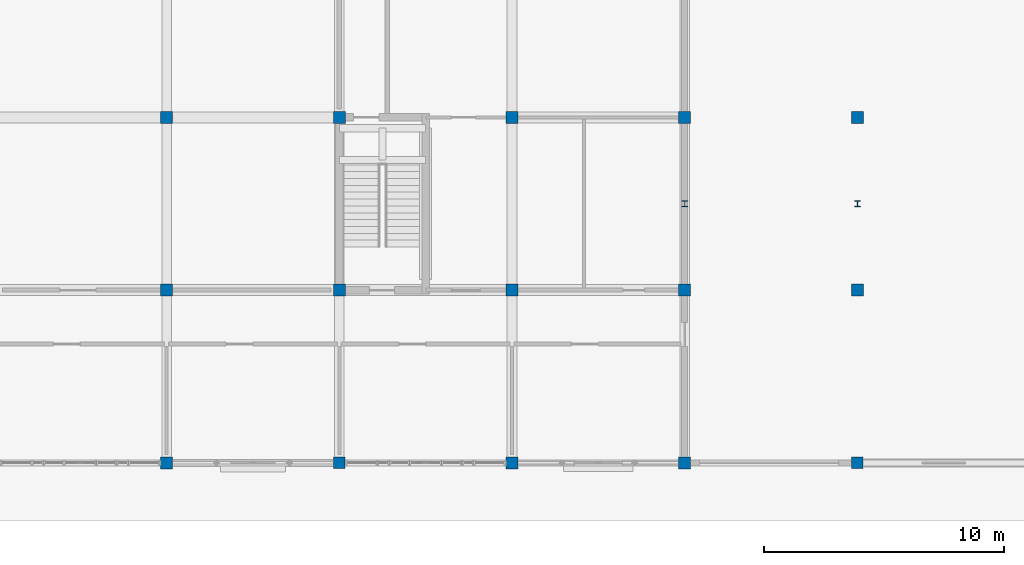
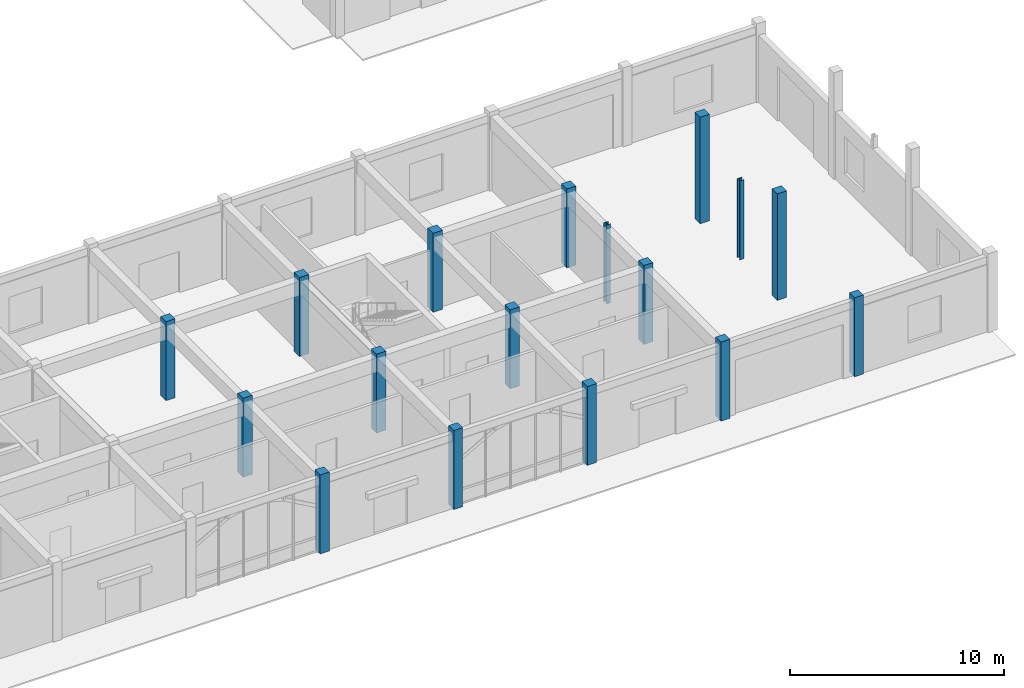
# One storey, part 3 of 138: 17 columns.
"""IFC4 building model written with IfcOpenShell, lengths in metres."""

from ifc_helpers import new_model, si_unit, direction, frame, origin, origin_2d, place, context, subcontext, project, spatial, rectangle, i_section, extrude, material, material_profile, profile_set, type_object, element, save


model = new_model("IFC4")

# Units and contexts
model_context = context("Model", 3, precision=1e-05, world=origin(), true_north=direction((0.0, 1.0)))
body_context = subcontext(model_context, "Body", "Model", "MODEL_VIEW")
ifc_project = project(units=[si_unit("LENGTHUNIT", "METRE"), si_unit("AREAUNIT", "SQUARE_METRE"), si_unit("VOLUMEUNIT", "CUBIC_METRE"), si_unit("PLANEANGLEUNIT", "RADIAN"), si_unit("MASSUNIT", "GRAM", prefix="KILO"), si_unit("THERMODYNAMICTEMPERATUREUNIT", "KELVIN"), si_unit("POWERUNIT", "WATT")], contexts=[model_context])

# Site, building, storey
site_placement = place(None, origin())
site = spatial("IfcSite", under=ifc_project, at=site_placement, CompositionType="ELEMENT")
building_placement = place(site_placement, origin())
building = spatial("IfcBuilding", under=site, at=building_placement, Name="Tavuni Mirador Residences", CompositionType="ELEMENT")
storey_placement = place(building_placement, origin())
storey = spatial("IfcBuildingStorey", under=building, at=storey_placement, Name="L00", CompositionType="ELEMENT", Elevation=0.0)

# Columns
ifc_material_1 = material(Name="Precast concrete C40/50", Category="concrete")
ifc_material_profile_1 = material_profile(ifc_material_1, rectangle(XDim=0.47998046875, YDim=0.47998046875, at=origin_2d()), Name="CORAL 480x480", Category="concrete")
ifc_profile_set_1 = profile_set([ifc_material_profile_1], Name="Precast concrete C40/50")
column_type_1 = type_object("IfcColumnType", Name="CT-PIL480", PredefinedType="PILASTER", material=ifc_profile_set_1)
for number, where, z_axis, x_axis, name in (
    (1, (75.60009765625, 7.199951171875, 0.0), (0.0, 0.0, 1.0), (1.0, 0.0, 0.0), "COL-PAV-SHOP-L00-04-00"),
    (2, (97.199951171875, 7.199951171875, 0.0), (0.0, 0.0, 1.0), (1.0, 0.0, 0.0), "COL-PAV-SHOP-L00-07-00"),
):
    element("IfcColumn", number, at=place(storey_placement, frame(where, z_axis=z_axis, x_axis=x_axis)), inside=storey, type_object=column_type_1, Name=name, PredefinedType="PILASTER", context=body_context, shape_type="SweptSolid", body=[
        extrude(rectangle(XDim=0.47998046875, YDim=0.47998046875, at=origin_2d()), origin(), (0.0, 0.0, 1.0), 4.5),
    ])
ifc_material_profile_2 = material_profile(ifc_material_1, rectangle(XDim=0.5, YDim=0.5, at=origin_2d()), Name="RC 500x500", Category="concrete")
ifc_profile_set_2 = profile_set([ifc_material_profile_2], Name="Precast concrete C40/50")
column_type_2 = type_object("IfcColumnType", Name="CT-RC500", PredefinedType="COLUMN", material=ifc_profile_set_2)
for number, where, z_axis, x_axis, name in (
    (3, (68.39990234375, 7.199951171875, 0.0), (0.0, 0.0, 1.0), (1.0, 0.0, 0.0), "COL-PAV-SHOP-L00-03-00"),
    (4, (68.39990234375, 14.39990234375, 0.0), (0.0, 0.0, 1.0), (1.0, 0.0, 0.0), "COL-PAV-SHOP-L00-03-01"),
    (5, (68.39990234375, 21.60009765625, 0.0), (0.0, 0.0, 1.0), (1.0, 0.0, 0.0), "COL-PAV-SHOP-L00-03-02"),
    (6, (75.60009765625, 14.39990234375, 0.0), (0.0, 0.0, 1.0), (1.0, 0.0, 0.0), "COL-PAV-SHOP-L00-04-01"),
    (7, (75.60009765625, 21.60009765625, 0.0), (0.0, 0.0, 1.0), (1.0, 0.0, 0.0), "COL-PAV-SHOP-L00-04-02"),
    (8, (82.800048828125, 7.199951171875, 0.0), (0.0, 0.0, 1.0), (1.0, 0.0, 0.0), "COL-PAV-SHOP-L00-05-00"),
    (9, (82.800048828125, 14.39990234375, 0.0), (0.0, 0.0, 1.0), (1.0, 0.0, 0.0), "COL-PAV-SHOP-L00-05-01"),
    (10, (82.800048828125, 21.60009765625, 0.0), (0.0, 0.0, 1.0), (1.0, 0.0, 0.0), "COL-PAV-SHOP-L00-05-02"),
    (11, (90.0, 7.199951171875, 0.0), (0.0, 0.0, 1.0), (1.0, 0.0, 0.0), "COL-PAV-SHOP-L00-06-00"),
    (12, (90.0, 14.39990234375, 0.0), (0.0, 0.0, 1.0), (1.0, 0.0, 0.0), "COL-PAV-SHOP-L00-06-01"),
    (13, (90.0, 21.60009765625, 0.0), (0.0, 0.0, 1.0), (1.0, 0.0, 0.0), "COL-PAV-SHOP-L00-06-02"),
):
    element("IfcColumn", number, at=place(storey_placement, frame(where, z_axis=z_axis, x_axis=x_axis)), inside=storey, type_object=column_type_2, Name=name, PredefinedType="COLUMN", context=body_context, shape_type="SweptSolid", body=[
        extrude(rectangle(XDim=0.5, YDim=0.5, at=origin_2d()), origin(), (0.0, 0.0, 1.0), 4.5),
    ])
for number, where, z_axis, x_axis, name in (
    (14, (97.199951171875, 14.39990234375, 0.0), (0.0, 0.0, 1.0), (1.0, 0.0, 0.0), "COL-PAV-SHOP-L00-07-01"),
    (15, (97.199951171875, 21.60009765625, 0.0), (0.0, 0.0, 1.0), (1.0, 0.0, 0.0), "COL-PAV-SHOP-L00-07-02"),
):
    element("IfcColumn", number, at=place(storey_placement, frame(where, z_axis=z_axis, x_axis=x_axis)), inside=storey, type_object=column_type_2, Name=name, PredefinedType="COLUMN", context=body_context, shape_type="SweptSolid", body=[
        extrude(rectangle(XDim=0.5, YDim=0.5, at=origin_2d()), origin(), (0.0, 0.0, 1.0), 6.066650390625),
    ])
ifc_material_2 = material(Name="Structural steel S355", Category="steel")
ifc_material_profile_3 = material_profile(ifc_material_2, i_section(OverallWidth=0.239990234375, OverallDepth=0.239990234375, WebThickness=0.010009765625, FlangeThickness=0.01708984375, FilletRadius=0.02099609375, at=origin_2d()), Name="HEB 240", Category="steel")
ifc_profile_set_3 = profile_set([ifc_material_profile_3], Name="Structural steel S355")
column_type_3 = type_object("IfcColumnType", Name="CT-ST-HEB240", PredefinedType="COLUMN", material=ifc_profile_set_3)
for number, where, z_axis, x_axis, name in (
    (16, (90.0, 18.0, 0.0), (0.0, 0.0, 1.0), (1.0, 0.0, 0.0), "COL-SHOP-CP-RDG-L00-1"),
    (17, (97.199951171875, 18.0, 0.0), (0.0, 0.0, 1.0), (1.0, 0.0, 0.0), "COL-SHOP-CP-RDG-L00-2"),
):
    element("IfcColumn", number, at=place(storey_placement, frame(where, z_axis=z_axis, x_axis=x_axis)), inside=storey, type_object=column_type_3, Name=name, PredefinedType="COLUMN", context=body_context, shape_type="SweptSolid", body=[
        extrude(i_section(OverallWidth=0.239990234375, OverallDepth=0.239990234375, WebThickness=0.010009765625, FlangeThickness=0.01708984375, FilletRadius=0.02099609375, at=origin_2d()), origin(), (0.0, 0.0, 1.0), 4.5),
    ])

save(model, "model.ifc")
